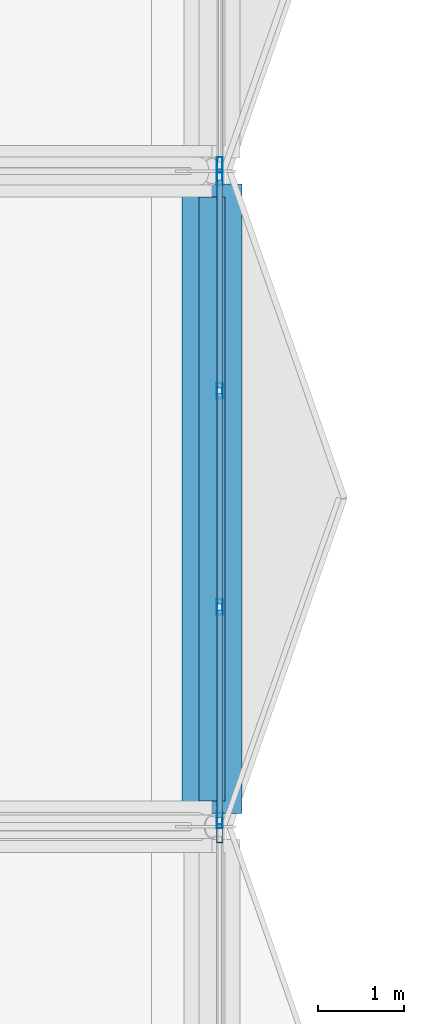
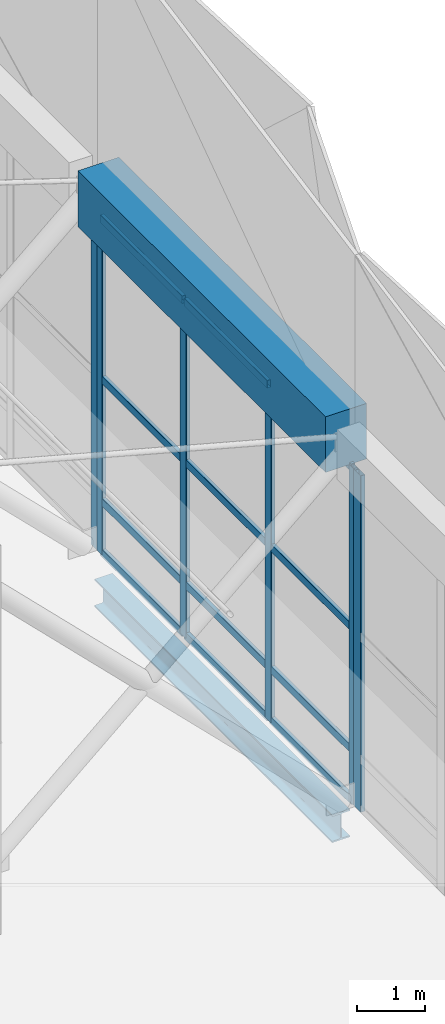
# One storey, part 9 of 46: 18 members, 2 beams, 3 elements without a shape of their own.
"""IFC4 building model written with IfcOpenShell, lengths in metres."""

from ifc_helpers import new_model, si_unit, direction, frame, origin, origin_2d, place, context, subcontext, project, spatial, rectangle, hollow_rectangle, i_section, extrude, material, material_profile, profile_set, type_object, element, aggregate, save


model = new_model("IFC4")

# Units and contexts
model_context = context("Model", 3, precision=1e-05, world=origin(), true_north=direction((0.0, 1.0)))
body_context = subcontext(model_context, "Body", "Model", "MODEL_VIEW")
ifc_project = project(units=[si_unit("LENGTHUNIT", "METRE"), si_unit("AREAUNIT", "SQUARE_METRE"), si_unit("VOLUMEUNIT", "CUBIC_METRE"), si_unit("PLANEANGLEUNIT", "RADIAN"), si_unit("MASSUNIT", "GRAM", prefix="KILO")], contexts=[model_context])

# Site, building, storey
site_placement = place(None, origin())
site = spatial("IfcSite", under=ifc_project, at=site_placement, CompositionType="ELEMENT")
building_placement = place(site_placement, origin())
building = spatial("IfcBuilding", under=site, at=building_placement, Name="Khelvaren Railside Concert Hall", CompositionType="ELEMENT")
storey_placement = place(building_placement, frame((0.0, 0.0, 19.800048828125)))
storey = spatial("IfcBuildingStorey", under=building, at=storey_placement, Name="L04", CompositionType="ELEMENT", Elevation=19.800048828125)

# Curtain wall, member
ifc_material_1 = material(Name="Triple-glazed solar-control glass", Category="glass")
curtain_wall_type_1 = type_object("IfcCurtainWallType", Name="CW41", PredefinedType="USERDEFINED", material=ifc_material_1)
curtain_wall_1_placement = place(storey_placement, origin())
curtain_wall_1 = element("IfcCurtainWall", 1, at=curtain_wall_1_placement, inside=storey, type_object=curtain_wall_type_1, Name="Unitised Curtain Wall CW-V1-L04-E-8", ObjectType="UNITISED CURTAIN WALL", PredefinedType="USERDEFINED")
ifc_material_2 = material(Name="Anodised architectural aluminium 6063-T6", Category="aluminium")
ifc_material_profile_1 = material_profile(ifc_material_2, hollow_rectangle(XDim=0.074951171875, YDim=0.219970703125, WallThickness=0.0048828125, InnerFilletRadius=0.0029296875, OuterFilletRadius=0.0048828125, at=origin_2d()), Name="CWM 75x220x5")
ifc_profile_set_1 = profile_set([ifc_material_profile_1], Name="Anodised architectural aluminium 6063-T6")
member_type_1 = type_object("IfcMemberType", Name="CWM13", PredefinedType="MULLION", material=ifc_profile_set_1)
member_1_placement = place(storey_placement, frame((55.93994140625, 15.12255859375, 0.0), z_axis=(0.0, 0.0, 1.0), x_axis=(1.0, 0.0, 0.0)))
member_1 = element("IfcMember", 2, at=member_1_placement, type_object=member_type_1, Name="CW41 mullion 1", PredefinedType="MULLION", context=body_context, shape_type="SweptSolid", body=[
    extrude(hollow_rectangle(XDim=0.074951171875, YDim=0.219970703125, WallThickness=0.0048828125, InnerFilletRadius=0.0029296875, OuterFilletRadius=0.0048828125, at=origin_2d()), origin(), (0.0, 0.0, 1.0), 6.050048828125),
])
aggregate(curtain_wall_1, [member_1])

# Curtain wall, members
ifc_material_3 = material(Name="Double-glazed low-E dark acoustic glass", Category="glass")
curtain_wall_type_2 = type_object("IfcCurtainWallType", Name="CW94", PredefinedType="USERDEFINED", material=ifc_material_3)
curtain_wall_2_placement = place(storey_placement, origin())
curtain_wall_2 = element("IfcCurtainWall", 3, at=curtain_wall_2_placement, inside=storey, type_object=curtain_wall_type_2, Name="Unitised Curtain Wall CW-V1-L04-E-15", ObjectType="UNITISED CURTAIN WALL", PredefinedType="USERDEFINED")
ifc_material_profile_2 = material_profile(ifc_material_2, hollow_rectangle(XDim=0.06494140625, YDim=0.179931640625, WallThickness=0.00390625, InnerFilletRadius=0.001953125, OuterFilletRadius=0.00390625, at=origin_2d()), Name="CWM 65x180x4")
ifc_profile_set_2 = profile_set([ifc_material_profile_2], Name="Anodised architectural aluminium 6063-T6")
member_type_2 = type_object("IfcMemberType", Name="CWM63", PredefinedType="MULLION", material=ifc_profile_set_2)
member_2_placement = place(storey_placement, frame((55.93994140625, 22.7275390625, 0.0), z_axis=(0.0, 0.0, 1.0), x_axis=(1.0, 0.0, 0.0)))
member_2 = element("IfcMember", 4, at=member_2_placement, type_object=member_type_2, Name="CW94 mullion 1", PredefinedType="MULLION", context=body_context, shape_type="SweptSolid", body=[
    extrude(hollow_rectangle(XDim=0.06494140625, YDim=0.179931640625, WallThickness=0.00390625, InnerFilletRadius=0.001953125, OuterFilletRadius=0.00390625, at=origin_2d()), origin(), (0.0, 0.0, 1.0), 6.050048828125),
])
member_3_placement = place(storey_placement, frame((55.93994140625, 20.25341796875, 0.0), z_axis=(0.0, 0.0, 1.0), x_axis=(1.0, 0.0, 0.0)))
member_3 = element("IfcMember", 5, at=member_3_placement, type_object=member_type_2, Name="CW94 mullion 2", PredefinedType="MULLION", context=body_context, shape_type="SweptSolid", body=[
    extrude(hollow_rectangle(XDim=0.06494140625, YDim=0.179931640625, WallThickness=0.00390625, InnerFilletRadius=0.001953125, OuterFilletRadius=0.00390625, at=origin_2d()), origin(), (0.0, 0.0, 1.0), 6.050048828125),
])
member_4_placement = place(storey_placement, frame((55.93994140625, 17.74658203125, 0.0), z_axis=(0.0, 0.0, 1.0), x_axis=(1.0, 0.0, 0.0)))
member_4 = element("IfcMember", 6, at=member_4_placement, type_object=member_type_2, Name="CW94 mullion 3", PredefinedType="MULLION", context=body_context, shape_type="SweptSolid", body=[
    extrude(hollow_rectangle(XDim=0.06494140625, YDim=0.179931640625, WallThickness=0.00390625, InnerFilletRadius=0.001953125, OuterFilletRadius=0.00390625, at=origin_2d()), origin(), (0.0, 0.0, 1.0), 6.050048828125),
])
member_5_placement = place(storey_placement, frame((55.93994140625, 15.2724609375, 0.0), z_axis=(0.0, 0.0, 1.0), x_axis=(1.0, 0.0, 0.0)))
member_5 = element("IfcMember", 7, at=member_5_placement, type_object=member_type_2, Name="CW94 mullion 4", PredefinedType="MULLION", context=body_context, shape_type="SweptSolid", body=[
    extrude(hollow_rectangle(XDim=0.06494140625, YDim=0.179931640625, WallThickness=0.00390625, InnerFilletRadius=0.001953125, OuterFilletRadius=0.00390625, at=origin_2d()), origin(), (0.0, 0.0, 1.0), 6.050048828125),
])

# Curtain wall, member
curtain_wall_type_3 = type_object("IfcCurtainWallType", Name="CW65", PredefinedType="USERDEFINED", material=ifc_material_3)
curtain_wall_3_placement = place(storey_placement, origin())
curtain_wall_3 = element("IfcCurtainWall", 8, at=curtain_wall_3_placement, inside=storey, type_object=curtain_wall_type_3, Name="Unitised Curtain Wall CW-V1-L04-E-23", ObjectType="UNITISED CURTAIN WALL", PredefinedType="USERDEFINED")
member_6_placement = place(storey_placement, frame((55.93994140625, 22.87255859375, 0.0), z_axis=(0.0, 0.0, 1.0), x_axis=(1.0, 0.0, 0.0)))
member_6 = element("IfcMember", 9, at=member_6_placement, type_object=member_type_2, Name="CW65 mullion 4", PredefinedType="MULLION", context=body_context, shape_type="SweptSolid", body=[
    extrude(hollow_rectangle(XDim=0.06494140625, YDim=0.179931640625, WallThickness=0.00390625, InnerFilletRadius=0.001953125, OuterFilletRadius=0.00390625, at=origin_2d()), origin(), (0.0, 0.0, 1.0), 6.050048828125),
])
aggregate(curtain_wall_3, [member_6])

# Member
ifc_material_profile_3 = material_profile(ifc_material_2, hollow_rectangle(XDim=0.06494140625, YDim=0.139892578125, WallThickness=0.00390625, InnerFilletRadius=0.001953125, OuterFilletRadius=0.00390625, at=origin_2d()), Name="CWT 65x140x4")
ifc_profile_set_3 = profile_set([ifc_material_profile_3], Name="Anodised architectural aluminium 6063-T6")
member_type_3 = type_object("IfcMemberType", Name="CWT72", PredefinedType="USERDEFINED", material=ifc_profile_set_3)
member_7_placement = place(storey_placement, frame((55.93994140625, 22.695068359375, 0.032470703125), z_axis=(0.0, -1.0, 0.0), x_axis=(1.0, 0.0, 0.0)))
member_7 = element("IfcMember", 10, at=member_7_placement, type_object=member_type_3, Name="CW94 transom 1.1", ObjectType="TRANSOM", PredefinedType="USERDEFINED", context=body_context, shape_type="SweptSolid", body=[
    extrude(hollow_rectangle(XDim=0.06494140625, YDim=0.139892578125, WallThickness=0.00390625, InnerFilletRadius=0.001953125, OuterFilletRadius=0.00390625, at=origin_2d()), origin(), (0.0, 0.0, 1.0), 2.4091796875),
])

member_8_placement = place(storey_placement, frame((55.93994140625, 22.695068359375, 0.949951171875), z_axis=(0.0, -1.0, 0.0), x_axis=(1.0, 0.0, 0.0)))
member_8 = element("IfcMember", 11, at=member_8_placement, type_object=member_type_3, Name="CW94 transom 1.2", ObjectType="TRANSOM", PredefinedType="USERDEFINED", context=body_context, shape_type="SweptSolid", body=[
    extrude(hollow_rectangle(XDim=0.06494140625, YDim=0.139892578125, WallThickness=0.00390625, InnerFilletRadius=0.001953125, OuterFilletRadius=0.00390625, at=origin_2d()), origin(), (0.0, 0.0, 1.0), 2.4091796875),
])

member_9_placement = place(storey_placement, frame((55.93994140625, 22.695068359375, 3.14599609375), z_axis=(0.0, -1.0, 0.0), x_axis=(1.0, 0.0, 0.0)))
member_9 = element("IfcMember", 12, at=member_9_placement, type_object=member_type_3, Name="CW94 transom 1.3", ObjectType="TRANSOM", PredefinedType="USERDEFINED", context=body_context, shape_type="SweptSolid", body=[
    extrude(hollow_rectangle(XDim=0.06494140625, YDim=0.139892578125, WallThickness=0.00390625, InnerFilletRadius=0.001953125, OuterFilletRadius=0.00390625, at=origin_2d()), origin(), (0.0, 0.0, 1.0), 2.4091796875),
])

member_10_placement = place(storey_placement, frame((55.93994140625, 22.695068359375, 6.017333984375), z_axis=(0.0, -1.0, 0.0), x_axis=(1.0, 0.0, 0.0)))
member_10 = element("IfcMember", 13, at=member_10_placement, type_object=member_type_3, Name="CW94 transom 1.4", ObjectType="TRANSOM", PredefinedType="USERDEFINED", context=body_context, shape_type="SweptSolid", body=[
    extrude(hollow_rectangle(XDim=0.06494140625, YDim=0.139892578125, WallThickness=0.00390625, InnerFilletRadius=0.001953125, OuterFilletRadius=0.00390625, at=origin_2d()), origin(), (0.0, 0.0, 1.0), 2.4091796875),
])

member_11_placement = place(storey_placement, frame((55.93994140625, 20.220947265625, 0.032470703125), z_axis=(0.0, -1.0, 0.0), x_axis=(1.0, 0.0, 0.0)))
member_11 = element("IfcMember", 14, at=member_11_placement, type_object=member_type_3, Name="CW94 transom 2.1", ObjectType="TRANSOM", PredefinedType="USERDEFINED", context=body_context, shape_type="SweptSolid", body=[
    extrude(hollow_rectangle(XDim=0.06494140625, YDim=0.139892578125, WallThickness=0.00390625, InnerFilletRadius=0.001953125, OuterFilletRadius=0.00390625, at=origin_2d()), origin(), (0.0, 0.0, 1.0), 2.44189453125),
])

member_12_placement = place(storey_placement, frame((55.93994140625, 20.220947265625, 0.949951171875), z_axis=(0.0, -1.0, 0.0), x_axis=(1.0, 0.0, 0.0)))
member_12 = element("IfcMember", 15, at=member_12_placement, type_object=member_type_3, Name="CW94 transom 2.2", ObjectType="TRANSOM", PredefinedType="USERDEFINED", context=body_context, shape_type="SweptSolid", body=[
    extrude(hollow_rectangle(XDim=0.06494140625, YDim=0.139892578125, WallThickness=0.00390625, InnerFilletRadius=0.001953125, OuterFilletRadius=0.00390625, at=origin_2d()), origin(), (0.0, 0.0, 1.0), 2.44189453125),
])

member_13_placement = place(storey_placement, frame((55.93994140625, 20.220947265625, 3.14599609375), z_axis=(0.0, -1.0, 0.0), x_axis=(1.0, 0.0, 0.0)))
member_13 = element("IfcMember", 16, at=member_13_placement, type_object=member_type_3, Name="CW94 transom 2.3", ObjectType="TRANSOM", PredefinedType="USERDEFINED", context=body_context, shape_type="SweptSolid", body=[
    extrude(hollow_rectangle(XDim=0.06494140625, YDim=0.139892578125, WallThickness=0.00390625, InnerFilletRadius=0.001953125, OuterFilletRadius=0.00390625, at=origin_2d()), origin(), (0.0, 0.0, 1.0), 2.44189453125),
])

member_14_placement = place(storey_placement, frame((55.93994140625, 20.220947265625, 6.017333984375), z_axis=(0.0, -1.0, 0.0), x_axis=(1.0, 0.0, 0.0)))
member_14 = element("IfcMember", 17, at=member_14_placement, type_object=member_type_3, Name="CW94 transom 2.4", ObjectType="TRANSOM", PredefinedType="USERDEFINED", context=body_context, shape_type="SweptSolid", body=[
    extrude(hollow_rectangle(XDim=0.06494140625, YDim=0.139892578125, WallThickness=0.00390625, InnerFilletRadius=0.001953125, OuterFilletRadius=0.00390625, at=origin_2d()), origin(), (0.0, 0.0, 1.0), 2.44189453125),
])

member_15_placement = place(storey_placement, frame((55.93994140625, 17.714111328125, 0.032470703125), z_axis=(0.0, -1.0, 0.0), x_axis=(1.0, 0.0, 0.0)))
member_15 = element("IfcMember", 18, at=member_15_placement, type_object=member_type_3, Name="CW94 transom 3.1", ObjectType="TRANSOM", PredefinedType="USERDEFINED", context=body_context, shape_type="SweptSolid", body=[
    extrude(hollow_rectangle(XDim=0.06494140625, YDim=0.139892578125, WallThickness=0.00390625, InnerFilletRadius=0.001953125, OuterFilletRadius=0.00390625, at=origin_2d()), origin(), (0.0, 0.0, 1.0), 2.4091796875),
])

member_16_placement = place(storey_placement, frame((55.93994140625, 17.714111328125, 0.949951171875), z_axis=(0.0, -1.0, 0.0), x_axis=(1.0, 0.0, 0.0)))
member_16 = element("IfcMember", 19, at=member_16_placement, type_object=member_type_3, Name="CW94 transom 3.2", ObjectType="TRANSOM", PredefinedType="USERDEFINED", context=body_context, shape_type="SweptSolid", body=[
    extrude(hollow_rectangle(XDim=0.06494140625, YDim=0.139892578125, WallThickness=0.00390625, InnerFilletRadius=0.001953125, OuterFilletRadius=0.00390625, at=origin_2d()), origin(), (0.0, 0.0, 1.0), 2.4091796875),
])

member_17_placement = place(storey_placement, frame((55.93994140625, 17.714111328125, 3.14599609375), z_axis=(0.0, -1.0, 0.0), x_axis=(1.0, 0.0, 0.0)))
member_17 = element("IfcMember", 20, at=member_17_placement, type_object=member_type_3, Name="CW94 transom 3.3", ObjectType="TRANSOM", PredefinedType="USERDEFINED", context=body_context, shape_type="SweptSolid", body=[
    extrude(hollow_rectangle(XDim=0.06494140625, YDim=0.139892578125, WallThickness=0.00390625, InnerFilletRadius=0.001953125, OuterFilletRadius=0.00390625, at=origin_2d()), origin(), (0.0, 0.0, 1.0), 2.4091796875),
])

member_18_placement = place(storey_placement, frame((55.93994140625, 17.714111328125, 6.017333984375), z_axis=(0.0, -1.0, 0.0), x_axis=(1.0, 0.0, 0.0)))
member_18 = element("IfcMember", 21, at=member_18_placement, type_object=member_type_3, Name="CW94 transom 3.4", ObjectType="TRANSOM", PredefinedType="USERDEFINED", context=body_context, shape_type="SweptSolid", body=[
    extrude(hollow_rectangle(XDim=0.06494140625, YDim=0.139892578125, WallThickness=0.00390625, InnerFilletRadius=0.001953125, OuterFilletRadius=0.00390625, at=origin_2d()), origin(), (0.0, 0.0, 1.0), 2.4091796875),
])

aggregate(curtain_wall_2, [member_2, member_3, member_4, member_5, member_7, member_8, member_9, member_10, member_11, member_12, member_13, member_14, member_15, member_16, member_17, member_18])

# Beams
ifc_material_4 = material(Name="Concrete C40/50", Category="concrete")
ifc_material_profile_4 = material_profile(ifc_material_4, rectangle(XDim=0.699951171875, YDim=1.0, at=origin_2d()), Name="RCB 700x1000")
ifc_profile_set_4 = profile_set([ifc_material_profile_4], Name="Concrete C40/50")
beam_type_1 = type_object("IfcBeamType", Name="RB80", PredefinedType="USERDEFINED", material=ifc_profile_set_4)
beam_1_placement = place(storey_placement, frame((55.85009765625, 15.35009765625, 6.550048828125), z_axis=(0.0, 1.0, 0.0), x_axis=(-1.0, 0.0, 0.0)))
element("IfcBeam", 22, at=beam_1_placement, inside=storey, type_object=beam_type_1, Name="Main Hall Compression Ring Beam 23", ObjectType="RING BEAM", PredefinedType="USERDEFINED", context=body_context, shape_type="SweptSolid", body=[
    extrude(rectangle(XDim=0.699951171875, YDim=1.0, at=origin_2d()), origin(), (0.0, 0.0, 1.0), 7.2998046875),
])
ifc_material_5 = material(Name="Steel S355", Category="steel")
ifc_material_profile_5 = material_profile(ifc_material_5, i_section(OverallWidth=0.300048828125, OverallDepth=0.5, WebThickness=0.014404296875, FlangeThickness=0.028076171875, FilletRadius=0.027099609375, at=origin_2d()), Name="HEB 500")
ifc_profile_set_5 = profile_set([ifc_material_profile_5], Name="Steel S355")
beam_type_2 = type_object("IfcBeamType", Name="SP12", PredefinedType="SPANDREL", material=ifc_profile_set_5)
beam_2_placement = place(storey_placement, frame((55.85009765625, 15.5, -0.52001953125), z_axis=(0.0, 1.0, 0.0), x_axis=(-1.0, 0.0, 0.0)))
element("IfcBeam", 23, at=beam_2_placement, inside=storey, type_object=beam_type_2, Name="V1 L04 Cantilever Tip Spandrel Y3", PredefinedType="SPANDREL", context=body_context, shape_type="SweptSolid", body=[
    extrude(i_section(OverallWidth=0.300048828125, OverallDepth=0.5, WebThickness=0.014404296875, FlangeThickness=0.028076171875, FilletRadius=0.027099609375, at=origin_2d()), origin(), (0.0, 0.0, 1.0), 7.0),
])

save(model, "model.ifc")
